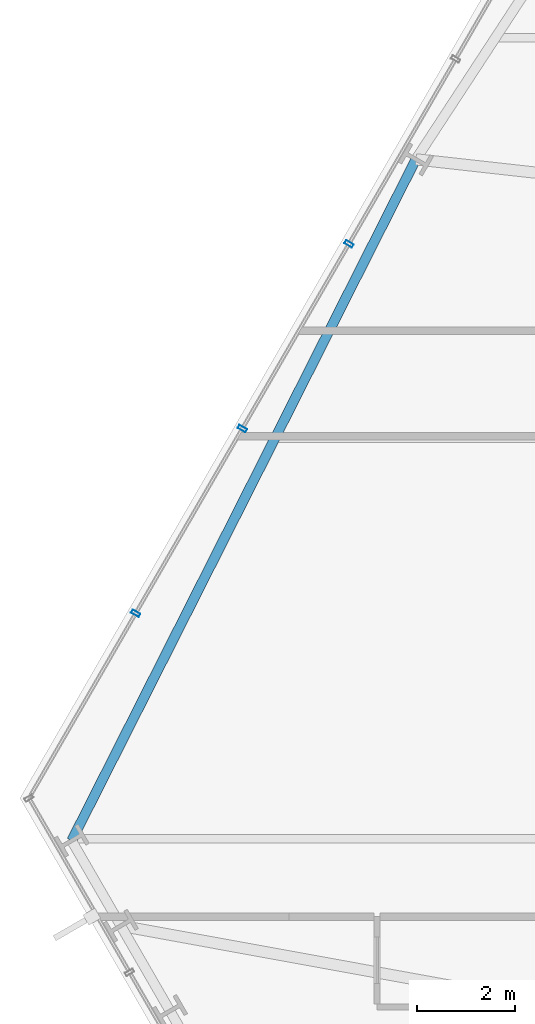
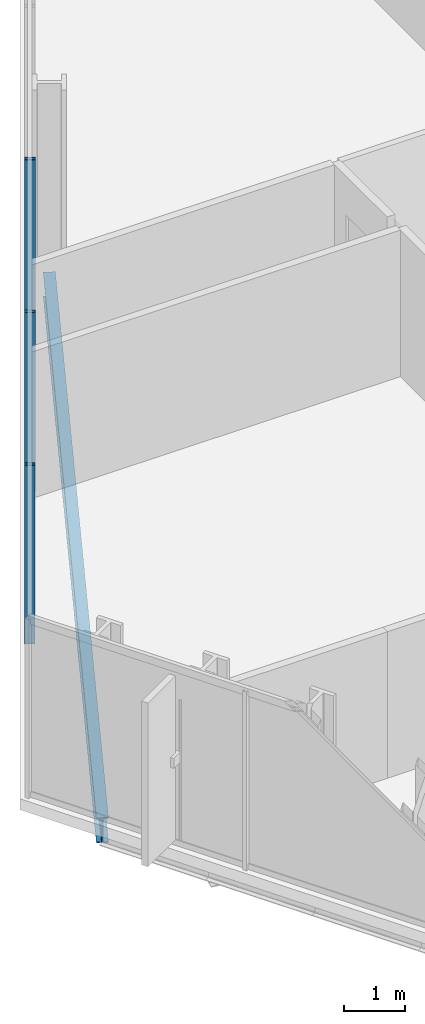
# One storey, part 10 of 33: 3 members, 1 beam, 1 element without a shape of its own.
"""IFC4 building model written with IfcOpenShell, lengths in metres."""

import ifcopenshell
import ifcopenshell.guid

model = None  # the IFC model being written
_history = None  # IfcOwnerHistory: only IFC2X3 demands one
_inside = {}  # id of a spatial element -> (the spatial element, [elements in it])
_under = {}  # id of a project, library or spatial element -> (it, [spatial elements below it])
_declared = {}  # id of a project -> (the project, [libraries it declares])
_typed = {}  # id of a type object -> (the type object, [elements of that type])
_made_of = {}  # id of a material, layer set ... -> (it, [elements and type objects made of it])


def new_model(schema):
    """Start an empty IFC model of exactly this schema.

    Asked for "IFC4X3", IfcOpenShell would pick the latest addendum, in which some entities
    have other attributes; the version numbers below select the first issue.
    IFC2X3 requires an IfcOwnerHistory on every rooted entity: one is made here for all.
    """
    global model, _history
    if schema == "IFC4X3":
        model = ifcopenshell.file(schema_version=(4, 3, 0, 0))
    else:
        model = ifcopenshell.file(schema=schema)
    _inside.clear()
    _under.clear()
    _declared.clear()
    _typed.clear()
    _made_of.clear()
    _history = None
    if model.schema == "IFC2X3":
        org = make("IfcOrganization", Name="unknown")
        user = make(
            "IfcPersonAndOrganization",
            ThePerson=make("IfcPerson", FamilyName="unknown"),
            TheOrganization=org,
        )
        app = make(
            "IfcApplication",
            ApplicationDeveloper=org,
            Version="unknown",
            ApplicationFullName="unknown",
            ApplicationIdentifier="unknown",
        )
        _history = make(
            "IfcOwnerHistory",
            OwningUser=user,
            OwningApplication=app,
            ChangeAction="ADDED",
            CreationDate=0,
        )
    return model


def make(cls, **values):
    """One entity of the class cls with the attributes given. An attribute that is None is left unset."""
    return model.create_entity(
        cls, **{name: value for name, value in values.items() if value is not None}
    )


def rooted(cls, **values):
    """An entity with a GlobalId (a new one), such as an element, a storey or a relation."""
    return make(cls, GlobalId=ifcopenshell.guid.new(), OwnerHistory=_history, **values)


def si_unit(unit_type, name, prefix=None):
    """IfcSIUnit, for example si_unit("LENGTHUNIT", "METRE", prefix="MILLI")."""
    return make("IfcSIUnit", UnitType=unit_type, Prefix=prefix, Name=name)


def assignment(units):
    """IfcUnitAssignment: the units of a project."""
    return None if units is None else make("IfcUnitAssignment", Units=units)


def point(xyz):
    """IfcCartesianPoint."""
    return None if xyz is None else make("IfcCartesianPoint", Coordinates=xyz)


def direction(xyz):
    """IfcDirection."""
    return None if xyz is None else make("IfcDirection", DirectionRatios=xyz)


def frame(location, z_axis=None, x_axis=None):
    """IfcAxis2Placement3D, a coordinate frame: its origin and axes. An axis left out is left unset."""
    return make(
        "IfcAxis2Placement3D",
        Location=point(location),
        Axis=direction(z_axis),
        RefDirection=direction(x_axis),
    )


def frame_2d(location, x_axis=None):
    """IfcAxis2Placement2D, a coordinate frame in the plane: its origin and x axis."""
    return make(
        "IfcAxis2Placement2D", Location=point(location), RefDirection=direction(x_axis)
    )


def origin():
    """The frame at (0, 0, 0) with its axes left unset."""
    return frame((0.0, 0.0, 0.0))


def origin_2d():
    """The frame at (0, 0) in the plane with its x axis left unset."""
    return frame_2d((0.0, 0.0))


def place(relative_to, where):
    """IfcLocalPlacement: puts the frame where relative to a parent placement (None: the world)."""
    return make(
        "IfcLocalPlacement", PlacementRelTo=relative_to, RelativePlacement=where
    )


def context(
    kind, dimensions, precision=None, world=None, true_north=None, identifier=None
):
    """IfcGeometricRepresentationContext, for example the 3D "Model" context."""
    return make(
        "IfcGeometricRepresentationContext",
        ContextIdentifier=identifier,
        ContextType=kind,
        CoordinateSpaceDimension=dimensions,
        Precision=precision,
        WorldCoordinateSystem=world,
        TrueNorth=true_north,
    )


def subcontext(parent, identifier, kind, view, scale=None):
    """IfcGeometricRepresentationSubContext, for example "Body" below "Model"."""
    return make(
        "IfcGeometricRepresentationSubContext",
        ContextIdentifier=identifier,
        ContextType=kind,
        ParentContext=parent,
        TargetScale=scale,
        TargetView=view,
    )


def project(units=None, contexts=None):
    """IfcProject with its units and contexts."""
    return rooted(
        "IfcProject",
        Name="project",
        RepresentationContexts=contexts,
        UnitsInContext=assignment(units),
    )


def spatial(cls, under=None, at=None, **own):
    """A site, building, storey or space (cls), placed at a placement, below another one or the project."""
    s = rooted(cls, ObjectPlacement=at, **own)
    if under is not None:
        _under.setdefault(under.id(), (under, []))[1].append(s)
    return s


def profile(cls, at=None, kind="AREA", **sizes):
    """A parametric profile (cls). Its sizes go by their IFC names, for example OverallWidth=200.0."""
    return make(cls, ProfileType=kind, Position=at, **sizes)


def hollow_rectangle(**sizes):
    """IfcRectangleHollowProfileDef."""
    return profile("IfcRectangleHollowProfileDef", **sizes)


def i_section(**sizes):
    """IfcIShapeProfileDef."""
    return profile("IfcIShapeProfileDef", **sizes)


def extrude(swept, where, along, depth):
    """IfcExtrudedAreaSolid: the profile swept, set in the frame where, extruded along a direction by depth."""
    return make(
        "IfcExtrudedAreaSolid",
        SweptArea=swept,
        Position=where,
        ExtrudedDirection=direction(along),
        Depth=depth,
    )


def shape(context_of_items, identifier, shape_type, items):
    """IfcShapeRepresentation: the items that make up one representation, for example the "Body"."""
    return make(
        "IfcShapeRepresentation",
        ContextOfItems=context_of_items,
        RepresentationIdentifier=identifier,
        RepresentationType=shape_type,
        Items=items,
    )


def material(Name=None, Category=None):
    """IfcMaterial."""
    return make("IfcMaterial", Name=Name, Category=Category)


def layer(
    of_material, thickness, ventilated=None, Name=None, Category=None, Priority=None
):
    """IfcMaterialLayer: one layer of a wall or slab, of a material (None: an air gap)."""
    return make(
        "IfcMaterialLayer",
        Material=of_material,
        LayerThickness=thickness,
        IsVentilated=ventilated,
        Name=Name,
        Category=Category,
        Priority=Priority,
    )


def layer_set(layers, Name=None):
    """IfcMaterialLayerSet."""
    return make("IfcMaterialLayerSet", MaterialLayers=layers, LayerSetName=Name)


def material_profile(
    of_material, cross_section, Name=None, Category=None, Priority=None
):
    """IfcMaterialProfile: a cross section and its material."""
    return make(
        "IfcMaterialProfile",
        Name=Name,
        Material=of_material,
        Profile=cross_section,
        Priority=Priority,
        Category=Category,
    )


def profile_set(profiles, Name=None, composite=None):
    """IfcMaterialProfileSet."""
    return make(
        "IfcMaterialProfileSet",
        Name=Name,
        MaterialProfiles=profiles,
        CompositeProfile=composite,
    )


def made_of(thing, what):
    """Note that an element or type object is made of a material, layer set ...; save() writes the relation."""
    if what is not None:
        _made_of.setdefault(what.id(), (what, []))[1].append(thing)
    return thing


def type_object(cls, material=None, **own):
    """A type object (cls), such as IfcWallType, which elements share."""
    return made_of(rooted(cls, **own), material)


def element(
    cls,
    number,
    at=None,
    inside=None,
    cuts=None,
    type_object=None,
    material=None,
    context=None,
    identifier="Body",
    shape_type=None,
    held_by="IfcProductDefinitionShape",
    body=None,
    shapes=None,
    **own,
):
    """One element of the class cls, such as IfcWall. Its Tag is "e" and its number.

    at: its placement. inside: the storey or other place that contains it. cuts: it is an
    opening in that element (IfcRelVoidsElement). A single representation is given by context,
    identifier, shape_type and body (its items); several are given by shapes. held_by: the class
    of the entity that holds the representations. save() writes the other relations.
    """
    e = rooted(cls, Tag="e%d" % number, ObjectPlacement=at, **own)
    if body is not None:
        shapes = [shape(context, identifier, shape_type, body)]
    if shapes is not None:
        e.Representation = make(held_by, Representations=shapes)
    if inside is not None:
        _inside.setdefault(inside.id(), (inside, []))[1].append(e)
    if cuts is not None:
        rooted(
            "IfcRelVoidsElement", RelatingBuildingElement=cuts, RelatedOpeningElement=e
        )
    if type_object is not None:
        _typed.setdefault(type_object.id(), (type_object, []))[1].append(e)
    return made_of(e, material)


def aggregate(whole, parts):
    """IfcRelAggregates: a whole, such as a stair, and the parts it consists of."""
    return rooted("IfcRelAggregates", RelatingObject=whole, RelatedObjects=parts)


def save(model, path):
    """Write the relations noted so far, then the file.

    IfcRelAggregates (storeys below a building ...), IfcRelContainedInSpatialStructure (elements
    in a storey), IfcRelDefinesByType, IfcRelAssociatesMaterial and IfcRelDeclares: one each for
    every whole, place, type object, material and project.
    """
    for whole, parts in _under.values():
        aggregate(whole, parts)
    for where, things in _inside.values():
        rooted(
            "IfcRelContainedInSpatialStructure",
            RelatedElements=things,
            RelatingStructure=where,
        )
    for kind, things in _typed.values():
        rooted("IfcRelDefinesByType", RelatedObjects=things, RelatingType=kind)
    for what, things in _made_of.values():
        rooted("IfcRelAssociatesMaterial", RelatedObjects=things, RelatingMaterial=what)
    for by, libraries in _declared.values():
        rooted("IfcRelDeclares", RelatingContext=by, RelatedDefinitions=libraries)
    model.write(path)


model = new_model("IFC4")

# Units and contexts
model_context = context("Model", 3, precision=1e-05, world=origin(), true_north=direction((0.0, 1.0)))
body_context = subcontext(model_context, "Body", "Model", "MODEL_VIEW")
ifc_project = project(units=[si_unit("LENGTHUNIT", "METRE"), si_unit("AREAUNIT", "SQUARE_METRE"), si_unit("VOLUMEUNIT", "CUBIC_METRE"), si_unit("PLANEANGLEUNIT", "RADIAN"), si_unit("MASSUNIT", "GRAM", prefix="KILO")], contexts=[model_context])

# Site, building, storey
site_placement = place(None, origin())
site = spatial("IfcSite", under=ifc_project, at=site_placement, CompositionType="ELEMENT")
building_placement = place(site_placement, origin())
building = spatial("IfcBuilding", under=site, at=building_placement, Name="Ndaravel Arena Tower", CompositionType="ELEMENT")
storey_placement = place(building_placement, frame((0.0, 0.0, 39.800048828125)))
storey = spatial("IfcBuildingStorey", under=building, at=storey_placement, Name="L07", CompositionType="ELEMENT", Elevation=39.800048828125)

# Beam
ifc_material_1 = material(Name="Steel S355", Category="steel")
ifc_material_profile_1 = material_profile(ifc_material_1, i_section(OverallWidth=0.199951171875, OverallDepth=0.5, WebThickness=0.01025390625, FlangeThickness=0.01611328125, FilletRadius=0.02099609375, at=origin_2d()), Name="IPE 500")
ifc_profile_set_1 = profile_set([ifc_material_profile_1], Name="Steel S355")
beam_type = type_object("IfcBeamType", Name="BM-SPAN-IPE500", PredefinedType="SPANDREL", material=ifc_profile_set_1)
beam_placement = place(storey_placement, frame((26.394287109375, 32.510009765625, -0.469970703125), z_axis=(-0.450914536682, -0.892567129469, 0.0), x_axis=(0.892567129469, -0.450914536682, 0.0)))
element("IfcBeam", 1, at=beam_placement, inside=storey, type_object=beam_type, Name="L07 Perimeter Spandrel Beam SP-19", PredefinedType="SPANDREL", context=body_context, shape_type="SweptSolid", body=[
    extrude(i_section(OverallWidth=0.199951171875, OverallDepth=0.5, WebThickness=0.01025390625, FlangeThickness=0.01611328125, FilletRadius=0.02099609375, at=origin_2d()), origin(), (0.0, 0.0, 1.0), 15.631103515625),
])

# Curtain wall, members
ifc_material_2 = material(Name="Aluminium", Category="aluminium")
ifc_layer = layer(ifc_material_2, 0.179931640625)
ifc_layer_set = layer_set([ifc_layer], Name="Aluminium")
curtain_wall_type = type_object("IfcCurtainWallType", Name="CW-SYS-03", PredefinedType="NOTDEFINED", material=ifc_layer_set)
curtain_wall_placement = place(storey_placement, origin())
curtain_wall = element("IfcCurtainWall", 2, at=curtain_wall_placement, inside=storey, type_object=curtain_wall_type, Name="L07 Faceted Crystal Curtain Wall CW-L07-E05", PredefinedType="NOTDEFINED")
ifc_material_3 = material(Name="Aluminium", Category="aluminium")
ifc_material_profile_2 = material_profile(ifc_material_3, hollow_rectangle(XDim=0.074951171875, YDim=0.179931640625, WallThickness=0.00390625, at=origin_2d()), Name="CW MULLION 75x180x4")
ifc_profile_set_2 = profile_set([ifc_material_profile_2], Name="Aluminium")
member_type = type_object("IfcMemberType", Name="MEM-CW-MUL180", PredefinedType="MULLION", material=ifc_profile_set_2)
member_1_placement = place(storey_placement, frame((25.025146484375, 30.778564453125, 0.0), z_axis=(0.0, 0.0, 1.0), x_axis=(-0.5, -0.866025403784, 0.0)))
member_1 = element("IfcMember", 3, at=member_1_placement, type_object=member_type, Name="CW-L07-E05 Mullion 04", PredefinedType="MULLION", context=body_context, shape_type="SweptSolid", body=[
    extrude(hollow_rectangle(XDim=0.074951171875, YDim=0.179931640625, WallThickness=0.00390625, at=origin_2d()), origin(), (0.0, 0.0, 1.0), 3.579833984375),
])
member_2_placement = place(storey_placement, frame((22.841064453125, 26.99560546875, 0.0), z_axis=(0.0, 0.0, 1.0), x_axis=(-0.5, -0.866025403784, 0.0)))
member_2 = element("IfcMember", 4, at=member_2_placement, type_object=member_type, Name="CW-L07-E05 Mullion 05", PredefinedType="MULLION", context=body_context, shape_type="SweptSolid", body=[
    extrude(hollow_rectangle(XDim=0.074951171875, YDim=0.179931640625, WallThickness=0.00390625, at=origin_2d()), origin(), (0.0, 0.0, 1.0), 3.579833984375),
])
member_3_placement = place(storey_placement, frame((20.656982421875, 23.212890625, 0.0), z_axis=(0.0, 0.0, 1.0), x_axis=(-0.5, -0.866025403784, 0.0)))
member_3 = element("IfcMember", 5, at=member_3_placement, type_object=member_type, Name="CW-L07-E05 Mullion 06", PredefinedType="MULLION", context=body_context, shape_type="SweptSolid", body=[
    extrude(hollow_rectangle(XDim=0.074951171875, YDim=0.179931640625, WallThickness=0.00390625, at=origin_2d()), origin(), (0.0, 0.0, 1.0), 3.579833984375),
])
aggregate(curtain_wall, [member_1, member_2, member_3])

save(model, "model.ifc")
